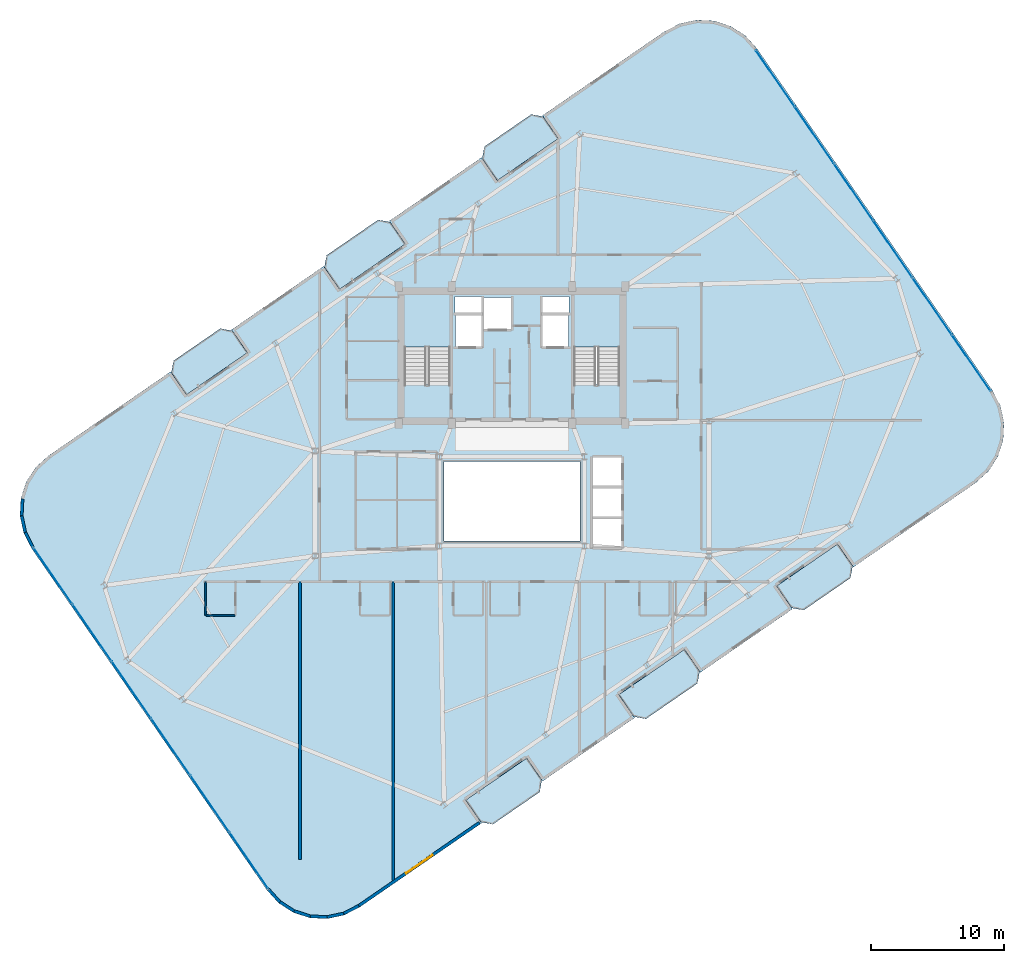
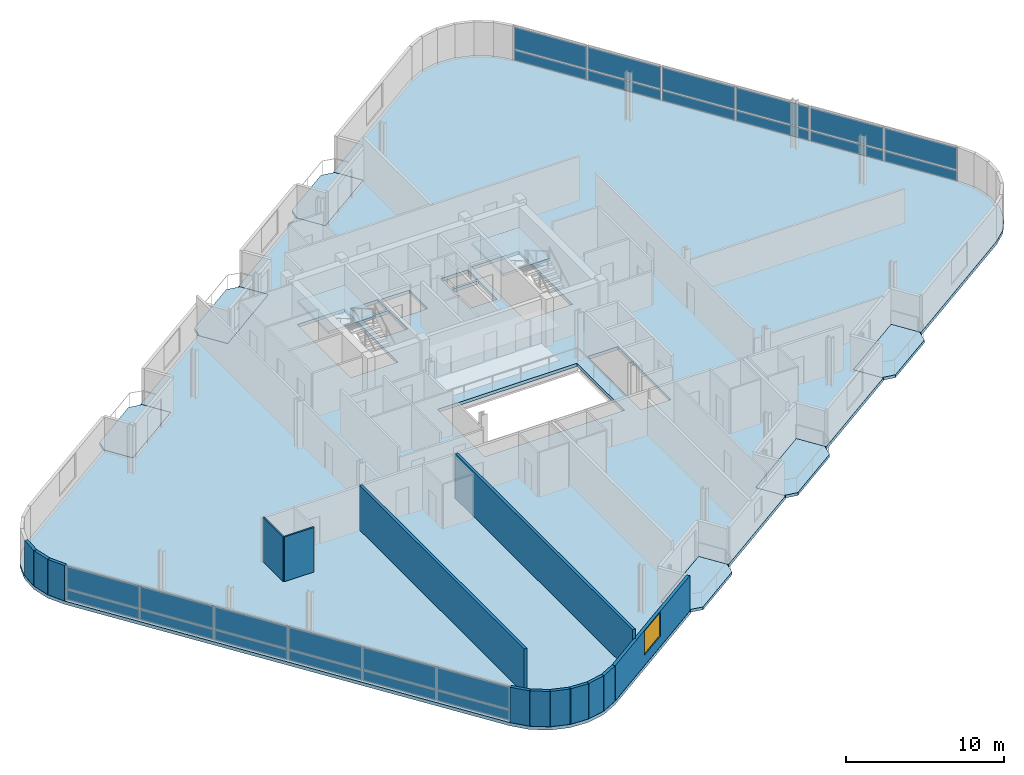
# One storey, part 14 of 22: 24 plates, 14 walls, 9 slabs, 1 window, 1 opening, 4 elements without a shape of their own.
"""IFC4 building model written with IfcOpenShell, lengths in metres."""

from ifc_helpers import new_model, si_unit, direction, frame, frame_2d, origin, origin_2d, place, context, subcontext, project, spatial, polyline, rectangle, outline, extrude, source, transform, mapped, material, layer, layer_set, type_object, element, fill, aggregate, save


model = new_model("IFC4")

# Units and contexts
model_context = context("Model", 3, precision=1e-05, world=origin(), true_north=direction((0.0, 1.0)))
body_context = subcontext(model_context, "Body", "Model", "MODEL_VIEW")
ifc_project = project(units=[si_unit("LENGTHUNIT", "METRE"), si_unit("AREAUNIT", "SQUARE_METRE"), si_unit("VOLUMEUNIT", "CUBIC_METRE"), si_unit("PLANEANGLEUNIT", "RADIAN"), si_unit("MASSUNIT", "GRAM", prefix="KILO")], contexts=[model_context])

# Site, building, storey
site_placement = place(None, origin())
site = spatial("IfcSite", under=ifc_project, at=site_placement, CompositionType="ELEMENT")
building_placement = place(site_placement, origin())
building = spatial("IfcBuilding", under=site, at=building_placement, Name="Varnelok Gate Tower", CompositionType="ELEMENT")
storey_placement = place(building_placement, frame((0.0, 0.0, 284.10009765625)))
storey = spatial("IfcBuildingStorey", under=building, at=storey_placement, Name="L73", CompositionType="ELEMENT", Elevation=284.10009765625)

# Slabs
ifc_material_1 = material(Name="Concrete C45/55", Category="concrete")
ifc_layer_1 = layer(ifc_material_1, 0.219970703125)
ifc_layer_set_1 = layer_set([ifc_layer_1], Name="Concrete C45/55")
slab_type_1 = type_object("IfcSlabType", Name="SLB-BALC-220", PredefinedType="FLOOR", material=ifc_layer_set_1)
slab_1_placement = place(storey_placement, frame((0.0, 0.0, -0.22021484375)))
element("IfcSlab", 1, at=slab_1_placement, inside=storey, type_object=slab_type_1, Name="L73 South Hollow Balcony 1", PredefinedType="FLOOR", context=body_context, shape_type="SweptSolid", body=[
    extrude(outline(polyline([(36.856201171875, -1.207275390625), (37.76025390625, -1.373779296875), (41.274169921875, 1.046630859375), (41.440673828125, 1.95068359375), (40.30615234375, 3.597900390625), (35.7216796875, 0.439697265625), (36.856201171875, -1.207275390625)])), origin(), (0.0, 0.0, 1.0), 0.22021484375),
])
slab_2_placement = place(storey_placement, frame((0.0, 0.0, -0.22021484375)))
element("IfcSlab", 2, at=slab_2_placement, inside=storey, type_object=slab_type_1, Name="L73 South Hollow Balcony 2", PredefinedType="FLOOR", context=body_context, shape_type="SweptSolid", body=[
    extrude(outline(polyline([(48.3583984375, 6.7158203125), (49.262451171875, 6.54931640625), (53.133056640625, 9.21533203125), (53.299560546875, 10.119384765625), (52.1650390625, 11.7666015625), (47.223876953125, 8.36279296875), (48.3583984375, 6.7158203125)])), origin(), (0.0, 0.0, 1.0), 0.22021484375),
])
slab_3_placement = place(storey_placement, frame((0.0, 0.0, -0.22021484375)))
element("IfcSlab", 3, at=slab_3_placement, inside=storey, type_object=slab_type_1, Name="L73 South Hollow Balcony 3", PredefinedType="FLOOR", context=body_context, shape_type="SweptSolid", body=[
    extrude(outline(polyline([(60.21728515625, 14.884521484375), (61.121337890625, 14.718017578125), (64.63525390625, 17.138427734375), (64.802001953125, 18.04248046875), (63.66748046875, 19.689453125), (59.082763671875, 16.531494140625), (60.21728515625, 14.884521484375)])), origin(), (0.0, 0.0, 1.0), 0.22021484375),
])
slab_4_placement = place(storey_placement, frame((0.0, 0.0, -0.22021484375)))
element("IfcSlab", 4, at=slab_4_placement, inside=storey, type_object=slab_type_1, Name="L73 North Hollow Balcony 1", PredefinedType="FLOOR", context=body_context, shape_type="SweptSolid", body=[
    extrude(outline(polyline([(14.732666015625, 30.910400390625), (19.3173828125, 34.068603515625), (18.1826171875, 35.715576171875), (17.27880859375, 35.882080078125), (13.7646484375, 33.461669921875), (13.59814453125, 32.5576171875), (14.732666015625, 30.910400390625)])), origin(), (0.0, 0.0, 1.0), 0.22021484375),
])
slab_5_placement = place(storey_placement, frame((0.0, 0.0, -0.22021484375)))
element("IfcSlab", 5, at=slab_5_placement, inside=storey, type_object=slab_type_1, Name="L73 North Hollow Balcony 2", PredefinedType="FLOOR", context=body_context, shape_type="SweptSolid", body=[
    extrude(outline(polyline([(26.23486328125, 38.83349609375), (31.176025390625, 42.2373046875), (30.04150390625, 43.88427734375), (29.1376953125, 44.05078125), (25.26708984375, 41.384521484375), (25.100341796875, 40.480712890625), (26.23486328125, 38.83349609375)])), origin(), (0.0, 0.0, 1.0), 0.22021484375),
])
slab_6_placement = place(storey_placement, frame((0.0, 0.0, -0.22021484375)))
element("IfcSlab", 6, at=slab_6_placement, inside=storey, type_object=slab_type_1, Name="L73 North Hollow Balcony 3", PredefinedType="FLOOR", context=body_context, shape_type="SweptSolid", body=[
    extrude(outline(polyline([(38.09375, 47.002197265625), (42.678466796875, 50.16015625), (41.5439453125, 51.807373046875), (40.639892578125, 51.973876953125), (37.125732421875, 49.55322265625), (36.959228515625, 48.6494140625), (38.09375, 47.002197265625)])), origin(), (0.0, 0.0, 1.0), 0.22021484375),
])

# Stair, slab
ifc_material_2 = material(Name="Concrete C50/60", Category="concrete")
stair_type = type_object("IfcStairType", Name="STR-CORE-1650", PredefinedType="HALF_TURN_STAIR", material=ifc_material_2)
stair_1_placement = place(storey_placement, origin())
stair_1 = element("IfcStair", 7, at=stair_1_placement, inside=storey, type_object=stair_type, Name="L73 Exit Stair ST-1", PredefinedType="HALF_TURN_STAIR")
ifc_layer_2 = layer(ifc_material_1, 0.199951171875)
ifc_layer_set_2 = layer_set([ifc_layer_2], Name="Concrete C45/55")
slab_type_2 = type_object("IfcSlabType", Name="SLB-LAND-200", PredefinedType="LANDING", material=ifc_layer_set_2)
slab_7_placement = place(storey_placement, frame((0.0, 0.0, 1.64990234375)))
slab_7 = element("IfcSlab", 8, at=slab_7_placement, type_object=slab_type_2, Name="ST-1 landing 1", PredefinedType="LANDING", context=body_context, shape_type="SweptSolid", body=[
    extrude(outline(polyline([(34.550048828125, 34.5), (34.550048828125, 38.449951171875), (31.10009765625, 38.449951171875), (31.10009765625, 34.5), (34.550048828125, 34.5)])), origin(), (0.0, 0.0, 1.0), 0.199951171875),
])
aggregate(stair_1, [slab_7])

stair_2_placement = place(storey_placement, origin())
stair_2 = element("IfcStair", 9, at=stair_2_placement, inside=storey, type_object=stair_type, Name="L73 Exit Stair ST-2", PredefinedType="HALF_TURN_STAIR")
slab_8_placement = place(storey_placement, frame((0.0, 0.0, 1.64990234375)))
slab_8 = element("IfcSlab", 10, at=slab_8_placement, type_object=slab_type_2, Name="ST-2 landing 1", PredefinedType="LANDING", context=body_context, shape_type="SweptSolid", body=[
    extrude(outline(polyline([(47.300048828125, 34.5), (47.300048828125, 38.449951171875), (43.85009765625, 38.449951171875), (43.85009765625, 34.5), (47.300048828125, 34.5)])), origin(), (0.0, 0.0, 1.0), 0.199951171875),
])
aggregate(stair_2, [slab_8])

# Slab
ifc_layer_3 = layer(ifc_material_2, 0.25)
ifc_layer_set_3 = layer_set([ifc_layer_3], Name="Concrete C50/60")
slab_type_3 = type_object("IfcSlabType", Name="SLB-TYP-250", PredefinedType="FLOOR", material=ifc_layer_set_3)
slab_9_placement = place(storey_placement, frame((0.0, 0.0, -0.25)))
element("IfcSlab", 11, at=slab_9_placement, inside=storey, type_object=slab_type_3, Name="L73 Structural Floor Slab", PredefinedType="FLOOR", context=body_context, shape_type="SweptSolid", body=[
    extrude(outline(polyline([(20.79052734375, -6.32373046875), (21.664794921875, -7.292724609375), (22.76025390625, -8.00244140625), (24.002197265625, -8.404541015625), (25.3056640625, -8.471435546875), (26.58203125, -8.19873046875), (27.744384765625, -7.60498046875), (36.25439453125, -1.7431640625), (36.912841796875, -1.28955078125), (35.7216796875, 0.439697265625), (40.30615234375, 3.597900390625), (41.49755859375, 1.868408203125), (48.4150390625, 6.63330078125), (47.223876953125, 8.36279296875), (52.1650390625, 11.7666015625), (53.356201171875, 10.037109375), (60.27392578125, 14.802001953125), (59.082763671875, 16.531494140625), (63.66748046875, 19.689453125), (64.858642578125, 17.960205078125), (65.51708984375, 18.413818359375), (74.027099609375, 24.275390625), (74.99609375, 25.14990234375), (75.705810546875, 26.245361328125), (76.10791015625, 27.487060546875), (76.1748046875, 28.79052734375), (75.902099609375, 30.067138671875), (75.308349609375, 31.2294921875), (57.609619140625, 56.923583984375), (56.735107421875, 57.892822265625), (55.6396484375, 58.6025390625), (54.39794921875, 59.00439453125), (53.094482421875, 59.071533203125), (51.81787109375, 58.798828125), (50.655517578125, 58.205078125), (42.145751953125, 52.34326171875), (41.487060546875, 51.8896484375), (42.678466796875, 50.16015625), (38.09375, 47.002197265625), (36.902587890625, 48.731689453125), (29.98486328125, 43.966552734375), (31.176025390625, 42.2373046875), (26.23486328125, 38.83349609375), (25.043701171875, 40.56298828125), (18.1259765625, 35.7978515625), (19.3173828125, 34.068603515625), (14.732666015625, 30.910400390625), (13.54150390625, 32.639892578125), (12.8828125, 32.186279296875), (4.373046875, 26.324462890625), (3.40380859375, 25.4501953125), (2.694091796875, 24.354736328125), (2.292236328125, 23.11279296875), (2.22509765625, 21.809326171875), (2.497802734375, 20.532958984375), (3.091796875, 19.37060546875), (20.79052734375, -6.32373046875)]), holes=[polyline([(34.550048828125, 31.679931640625), (34.550048828125, 38.449951171875), (31.10009765625, 38.449951171875), (31.10009765625, 31.679931640625), (34.550048828125, 31.679931640625)]), polyline([(47.300048828125, 31.679931640625), (47.300048828125, 38.449951171875), (43.85009765625, 38.449951171875), (43.85009765625, 31.679931640625), (47.300048828125, 31.679931640625)]), polyline([(34.949951171875, 34.550048828125), (36.89990234375, 34.550048828125), (36.89990234375, 36.89990234375), (34.949951171875, 36.89990234375), (34.949951171875, 34.550048828125)]), polyline([(41.5, 34.550048828125), (43.449951171875, 34.550048828125), (43.449951171875, 36.89990234375), (41.5, 36.89990234375), (41.5, 34.550048828125)]), polyline([(37.050048828125, 35.85009765625), (39.14990234375, 35.85009765625), (39.14990234375, 38.199951171875), (37.050048828125, 38.199951171875), (37.050048828125, 35.85009765625)]), polyline([(45.25, 19.449951171875), (47.449951171875, 19.449951171875), (47.449951171875, 26.199951171875), (45.25, 26.199951171875), (45.25, 19.449951171875)]), polyline([(34.919921875, 37.080078125), (36.89990234375, 37.080078125), (36.89990234375, 38.280029296875), (34.919921875, 38.280029296875), (34.919921875, 37.080078125)]), polyline([(41.5, 37.080078125), (43.47998046875, 37.080078125), (43.47998046875, 38.280029296875), (41.5, 38.280029296875), (41.5, 37.080078125)]), polyline([(34.10009765625, 19.89990234375), (44.300048828125, 19.89990234375), (44.300048828125, 25.89990234375), (34.10009765625, 25.89990234375), (34.10009765625, 19.89990234375)])]), origin(), (0.0, 0.0, 1.0), 0.25),
])

# Curtain wall, plates
ifc_material_3 = material(Name="Anodized Aluminum Alloy 6063-T6", Category="aluminium")
ifc_layer_4 = layer(ifc_material_3, 0.179931640625)
ifc_layer_set_4 = layer_set([ifc_layer_4], Name="Anodized Aluminum Alloy 6063-T6")
curtain_wall_type = type_object("IfcCurtainWallType", Name="CW6-CROWN-LOOKOUT", PredefinedType="USERDEFINED", material=ifc_layer_set_4)
curtain_wall_1_placement = place(storey_placement, origin())
curtain_wall_1 = element("IfcCurtainWall", 12, at=curtain_wall_1_placement, inside=storey, type_object=curtain_wall_type, Name="L73 West End Vision Curtain Wall", ObjectType="STRUCTURAL GLAZING", PredefinedType="USERDEFINED")
ifc_material_4 = material(Name="Low-E Laminated Double Glazing IGU", Category="glass")
ifc_layer_5 = layer(ifc_material_4, 0.035888671875)
ifc_layer_set_5 = layer_set([ifc_layer_5], Name="Low-E Laminated Double Glazing IGU")
plate_type = type_object("IfcPlateType", Name="CW-PNL-IGU36", PredefinedType="CURTAIN_PANEL", material=ifc_layer_set_5)
shared_shape_1 = source(origin(), body_context, "Body", "SweptSolid", [
    extrude(rectangle(XDim=5.08740234375, YDim=0.035888671875, at=origin_2d()), origin(), (0.0, 0.0, 1.0), 0.78759765625),
])
plate_1_placement = place(storey_placement, frame((19.420166015625, -4.087646484375, 0.074951171875), z_axis=(0.0, 0.0, 1.0), x_axis=(-0.567269395376, 0.823532290241, 0.0)))
plate_1 = element("IfcPlate", 13, at=plate_1_placement, type_object=plate_type, Name="CW6 panel 1.1", PredefinedType="CURTAIN_PANEL", context=body_context, shape_type="MappedRepresentation", body=[
    mapped(shared_shape_1, transform((0.0, 0.0, 0.0), scale=1.0)),
])
plate_2_placement = place(storey_placement, frame((4.692626953125, 17.293212890625, 0.074951171875), z_axis=(0.0, 0.0, 1.0), x_axis=(-0.567269395376, 0.823532290241, 0.0)))
plate_2 = element("IfcPlate", 14, at=plate_2_placement, type_object=plate_type, Name="CW6 panel 6.1", PredefinedType="CURTAIN_PANEL", context=body_context, shape_type="MappedRepresentation", body=[
    mapped(shared_shape_1, transform((0.0, 0.0, 0.0), scale=1.0)),
])

curtain_wall_2_placement = place(storey_placement, origin())
curtain_wall_2 = element("IfcCurtainWall", 15, at=curtain_wall_2_placement, inside=storey, type_object=curtain_wall_type, Name="L73 East End Vision Curtain Wall", ObjectType="STRUCTURAL GLAZING", PredefinedType="USERDEFINED")
plate_3_placement = place(storey_placement, frame((58.979736328125, 54.687744140625, 0.074951171875), z_axis=(0.0, 0.0, 1.0), x_axis=(0.567269395376, -0.823532290241, 0.0)))
plate_3 = element("IfcPlate", 16, at=plate_3_placement, type_object=plate_type, Name="CW6 panel 1.1", PredefinedType="CURTAIN_PANEL", context=body_context, shape_type="MappedRepresentation", body=[
    mapped(shared_shape_1, transform((0.0, 0.0, 0.0), scale=1.0)),
])
plate_4_placement = place(storey_placement, frame((73.70751953125, 33.306640625, 0.074951171875), z_axis=(0.0, 0.0, 1.0), x_axis=(0.567269395376, -0.823532290241, 0.0)))
plate_4 = element("IfcPlate", 17, at=plate_4_placement, type_object=plate_type, Name="CW6 panel 6.1", PredefinedType="CURTAIN_PANEL", context=body_context, shape_type="MappedRepresentation", body=[
    mapped(shared_shape_1, transform((0.0, 0.0, 0.0), scale=1.0)),
])

# Plate
shared_shape_2 = source(origin(), body_context, "Body", "SweptSolid", [
    extrude(rectangle(XDim=5.08740234375, YDim=0.035888671875, at=origin_2d()), origin(), (0.0, 0.0, 1.0), 1.717529296875),
])
plate_5_placement = place(storey_placement, frame((19.420166015625, -4.087646484375, 0.9375), z_axis=(0.0, 0.0, 1.0), x_axis=(-0.567269395376, 0.823532290241, 0.0)))
plate_5 = element("IfcPlate", 18, at=plate_5_placement, type_object=plate_type, Name="CW6 panel 1.2", PredefinedType="CURTAIN_PANEL", context=body_context, shape_type="MappedRepresentation", body=[
    mapped(shared_shape_2, transform((0.0, 0.0, 0.0), scale=1.0)),
])

plate_6_placement = place(storey_placement, frame((4.692626953125, 17.293212890625, 0.9375), z_axis=(0.0, 0.0, 1.0), x_axis=(-0.567269395376, 0.823532290241, 0.0)))
plate_6 = element("IfcPlate", 19, at=plate_6_placement, type_object=plate_type, Name="CW6 panel 6.2", PredefinedType="CURTAIN_PANEL", context=body_context, shape_type="MappedRepresentation", body=[
    mapped(shared_shape_2, transform((0.0, 0.0, 0.0), scale=1.0)),
])

plate_7_placement = place(storey_placement, frame((58.979736328125, 54.687744140625, 0.9375), z_axis=(0.0, 0.0, 1.0), x_axis=(0.567269395376, -0.823532290241, 0.0)))
plate_7 = element("IfcPlate", 20, at=plate_7_placement, type_object=plate_type, Name="CW6 panel 1.2", PredefinedType="CURTAIN_PANEL", context=body_context, shape_type="MappedRepresentation", body=[
    mapped(shared_shape_2, transform((0.0, 0.0, 0.0), scale=1.0)),
])

plate_8_placement = place(storey_placement, frame((73.70751953125, 33.306640625, 0.9375), z_axis=(0.0, 0.0, 1.0), x_axis=(0.567269395376, -0.823532290241, 0.0)))
plate_8 = element("IfcPlate", 21, at=plate_8_placement, type_object=plate_type, Name="CW6 panel 6.2", PredefinedType="CURTAIN_PANEL", context=body_context, shape_type="MappedRepresentation", body=[
    mapped(shared_shape_2, transform((0.0, 0.0, 0.0), scale=1.0)),
])

shared_shape_3 = source(origin(), body_context, "Body", "SweptSolid", [
    extrude(rectangle(XDim=5.125, YDim=0.035888671875, at=origin_2d()), origin(), (0.0, 0.0, 1.0), 0.78759765625),
])
plate_9_placement = place(storey_placement, frame((16.481201171875, 0.17919921875, 0.074951171875), z_axis=(0.0, 0.0, 1.0), x_axis=(-0.567269395376, 0.823532290241, 0.0)))
plate_9 = element("IfcPlate", 22, at=plate_9_placement, type_object=plate_type, Name="CW6 panel 2.1", PredefinedType="CURTAIN_PANEL", context=body_context, shape_type="MappedRepresentation", body=[
    mapped(shared_shape_3, transform((0.0, 0.0, 0.0), scale=1.0)),
])

plate_10_placement = place(storey_placement, frame((13.53125, 4.461669921875, 0.074951171875), z_axis=(0.0, 0.0, 1.0), x_axis=(-0.567269395376, 0.823532290241, 0.0)))
plate_10 = element("IfcPlate", 23, at=plate_10_placement, type_object=plate_type, Name="CW6 panel 3.1", PredefinedType="CURTAIN_PANEL", context=body_context, shape_type="MappedRepresentation", body=[
    mapped(shared_shape_3, transform((0.0, 0.0, 0.0), scale=1.0)),
])

plate_11_placement = place(storey_placement, frame((10.58154296875, 8.743896484375, 0.074951171875), z_axis=(0.0, 0.0, 1.0), x_axis=(-0.567269395376, 0.823532290241, 0.0)))
plate_11 = element("IfcPlate", 24, at=plate_11_placement, type_object=plate_type, Name="CW6 panel 4.1", PredefinedType="CURTAIN_PANEL", context=body_context, shape_type="MappedRepresentation", body=[
    mapped(shared_shape_3, transform((0.0, 0.0, 0.0), scale=1.0)),
])

plate_12_placement = place(storey_placement, frame((7.631591796875, 13.0263671875, 0.074951171875), z_axis=(0.0, 0.0, 1.0), x_axis=(-0.567269395376, 0.823532290241, 0.0)))
plate_12 = element("IfcPlate", 25, at=plate_12_placement, type_object=plate_type, Name="CW6 panel 5.1", PredefinedType="CURTAIN_PANEL", context=body_context, shape_type="MappedRepresentation", body=[
    mapped(shared_shape_3, transform((0.0, 0.0, 0.0), scale=1.0)),
])

plate_13_placement = place(storey_placement, frame((61.9189453125, 50.420654296875, 0.074951171875), z_axis=(0.0, 0.0, 1.0), x_axis=(0.567269395376, -0.823532290241, 0.0)))
plate_13 = element("IfcPlate", 26, at=plate_13_placement, type_object=plate_type, Name="CW6 panel 2.1", PredefinedType="CURTAIN_PANEL", context=body_context, shape_type="MappedRepresentation", body=[
    mapped(shared_shape_3, transform((0.0, 0.0, 0.0), scale=1.0)),
])

plate_14_placement = place(storey_placement, frame((64.86865234375, 46.138427734375, 0.074951171875), z_axis=(0.0, 0.0, 1.0), x_axis=(0.567269395376, -0.823532290241, 0.0)))
plate_14 = element("IfcPlate", 27, at=plate_14_placement, type_object=plate_type, Name="CW6 panel 3.1", PredefinedType="CURTAIN_PANEL", context=body_context, shape_type="MappedRepresentation", body=[
    mapped(shared_shape_3, transform((0.0, 0.0, 0.0), scale=1.0)),
])

plate_15_placement = place(storey_placement, frame((67.818603515625, 41.85595703125, 0.074951171875), z_axis=(0.0, 0.0, 1.0), x_axis=(0.567269395376, -0.823532290241, 0.0)))
plate_15 = element("IfcPlate", 28, at=plate_15_placement, type_object=plate_type, Name="CW6 panel 4.1", PredefinedType="CURTAIN_PANEL", context=body_context, shape_type="MappedRepresentation", body=[
    mapped(shared_shape_3, transform((0.0, 0.0, 0.0), scale=1.0)),
])

plate_16_placement = place(storey_placement, frame((70.768310546875, 37.57373046875, 0.074951171875), z_axis=(0.0, 0.0, 1.0), x_axis=(0.567269395376, -0.823532290241, 0.0)))
plate_16 = element("IfcPlate", 29, at=plate_16_placement, type_object=plate_type, Name="CW6 panel 5.1", PredefinedType="CURTAIN_PANEL", context=body_context, shape_type="MappedRepresentation", body=[
    mapped(shared_shape_3, transform((0.0, 0.0, 0.0), scale=1.0)),
])

shared_shape_4 = source(origin(), body_context, "Body", "SweptSolid", [
    extrude(rectangle(XDim=5.125, YDim=0.035888671875, at=origin_2d()), origin(), (0.0, 0.0, 1.0), 1.717529296875),
])
plate_17_placement = place(storey_placement, frame((16.481201171875, 0.17919921875, 0.9375), z_axis=(0.0, 0.0, 1.0), x_axis=(-0.567269395376, 0.823532290241, 0.0)))
plate_17 = element("IfcPlate", 30, at=plate_17_placement, type_object=plate_type, Name="CW6 panel 2.2", PredefinedType="CURTAIN_PANEL", context=body_context, shape_type="MappedRepresentation", body=[
    mapped(shared_shape_4, transform((0.0, 0.0, 0.0), scale=1.0)),
])

plate_18_placement = place(storey_placement, frame((13.53125, 4.461669921875, 0.9375), z_axis=(0.0, 0.0, 1.0), x_axis=(-0.567269395376, 0.823532290241, 0.0)))
plate_18 = element("IfcPlate", 31, at=plate_18_placement, type_object=plate_type, Name="CW6 panel 3.2", PredefinedType="CURTAIN_PANEL", context=body_context, shape_type="MappedRepresentation", body=[
    mapped(shared_shape_4, transform((0.0, 0.0, 0.0), scale=1.0)),
])

plate_19_placement = place(storey_placement, frame((10.58154296875, 8.743896484375, 0.9375), z_axis=(0.0, 0.0, 1.0), x_axis=(-0.567269395376, 0.823532290241, 0.0)))
plate_19 = element("IfcPlate", 32, at=plate_19_placement, type_object=plate_type, Name="CW6 panel 4.2", PredefinedType="CURTAIN_PANEL", context=body_context, shape_type="MappedRepresentation", body=[
    mapped(shared_shape_4, transform((0.0, 0.0, 0.0), scale=1.0)),
])

plate_20_placement = place(storey_placement, frame((7.631591796875, 13.0263671875, 0.9375), z_axis=(0.0, 0.0, 1.0), x_axis=(-0.567269395376, 0.823532290241, 0.0)))
plate_20 = element("IfcPlate", 33, at=plate_20_placement, type_object=plate_type, Name="CW6 panel 5.2", PredefinedType="CURTAIN_PANEL", context=body_context, shape_type="MappedRepresentation", body=[
    mapped(shared_shape_4, transform((0.0, 0.0, 0.0), scale=1.0)),
])

aggregate(curtain_wall_1, [plate_1, plate_5, plate_9, plate_17, plate_10, plate_18, plate_11, plate_19, plate_12, plate_20, plate_2, plate_6])

plate_21_placement = place(storey_placement, frame((61.9189453125, 50.420654296875, 0.9375), z_axis=(0.0, 0.0, 1.0), x_axis=(0.567269395376, -0.823532290241, 0.0)))
plate_21 = element("IfcPlate", 34, at=plate_21_placement, type_object=plate_type, Name="CW6 panel 2.2", PredefinedType="CURTAIN_PANEL", context=body_context, shape_type="MappedRepresentation", body=[
    mapped(shared_shape_4, transform((0.0, 0.0, 0.0), scale=1.0)),
])

plate_22_placement = place(storey_placement, frame((64.86865234375, 46.138427734375, 0.9375), z_axis=(0.0, 0.0, 1.0), x_axis=(0.567269395376, -0.823532290241, 0.0)))
plate_22 = element("IfcPlate", 35, at=plate_22_placement, type_object=plate_type, Name="CW6 panel 3.2", PredefinedType="CURTAIN_PANEL", context=body_context, shape_type="MappedRepresentation", body=[
    mapped(shared_shape_4, transform((0.0, 0.0, 0.0), scale=1.0)),
])

plate_23_placement = place(storey_placement, frame((67.818603515625, 41.85595703125, 0.9375), z_axis=(0.0, 0.0, 1.0), x_axis=(0.567269395376, -0.823532290241, 0.0)))
plate_23 = element("IfcPlate", 36, at=plate_23_placement, type_object=plate_type, Name="CW6 panel 4.2", PredefinedType="CURTAIN_PANEL", context=body_context, shape_type="MappedRepresentation", body=[
    mapped(shared_shape_4, transform((0.0, 0.0, 0.0), scale=1.0)),
])

plate_24_placement = place(storey_placement, frame((70.768310546875, 37.57373046875, 0.9375), z_axis=(0.0, 0.0, 1.0), x_axis=(0.567269395376, -0.823532290241, 0.0)))
plate_24 = element("IfcPlate", 37, at=plate_24_placement, type_object=plate_type, Name="CW6 panel 5.2", PredefinedType="CURTAIN_PANEL", context=body_context, shape_type="MappedRepresentation", body=[
    mapped(shared_shape_4, transform((0.0, 0.0, 0.0), scale=1.0)),
])

aggregate(curtain_wall_2, [plate_3, plate_7, plate_13, plate_21, plate_14, plate_22, plate_15, plate_23, plate_16, plate_24, plate_4, plate_8])

# Walls
ifc_layer_6 = layer(ifc_material_1, 0.219970703125)
ifc_layer_set_6 = layer_set([ifc_layer_6], Name="Concrete C45/55")
wall_type_1 = type_object("IfcWallType", Name="EW-BALC-220", PredefinedType="SOLIDWALL", material=ifc_layer_set_6)
wall_1_placement = place(storey_placement, frame((20.89013671875, -6.255126953125, 0.0), z_axis=(0.0, 0.0, 1.0), x_axis=(0.669949059844, -0.74240706975, 0.0)))
element("IfcWall", 38, at=wall_1_placement, inside=storey, type_object=wall_type_1, Name="L73 Perimeter Facade Closure Wall 1", PredefinedType="SOLIDWALL", context=body_context, shape_type="SweptSolid", body=[
    extrude(rectangle(XDim=1.273681640625, YDim=0.219970703125, at=frame_2d((0.63671875, 0.0))), origin(), (0.0, 0.0, 1.0), 2.72998046875),
])
for number, where, z_axis, x_axis, name in (
    (39, (21.764404296875, -7.21435546875, 0.0), (0.0, 0.0, 1.0), (0.839229000731, -0.543778157277, 0.0), "L73 Perimeter Facade Closure Wall 2"),
    (40, (22.836181640625, -7.90087890625, 0.0), (0.0, 0.0, 1.0), (0.951385542995, -0.308002513919, 0.0), "L73 Perimeter Facade Closure Wall 3"),
    (41, (24.049072265625, -8.286865234375, 0.0), (0.0, 0.0, 1.0), (0.998686637427, -0.051234756022, 0.0), "L73 Perimeter Facade Closure Wall 4"),
):
    element("IfcWall", number, at=place(storey_placement, frame(where, z_axis=z_axis, x_axis=x_axis)), inside=storey, type_object=wall_type_1, Name=name, PredefinedType="SOLIDWALL", context=body_context, shape_type="SweptSolid", body=[
        extrude(rectangle(XDim=1.24853515625, YDim=0.219970703125, at=frame_2d((0.624267578125, 0.0))), origin(), (0.0, 0.0, 1.0), 2.72998046875),
    ])
wall_2_placement = place(storey_placement, frame((25.3203125, -8.345703125, 0.0), z_axis=(0.0, 0.0, 1.0), x_axis=(0.977916710262, 0.208994994656, 0.0)))
element("IfcWall", 42, at=wall_2_placement, inside=storey, type_object=wall_type_1, Name="L73 Perimeter Facade Closure Wall 5", PredefinedType="SOLIDWALL", context=body_context, shape_type="SweptSolid", body=[
    extrude(rectangle(XDim=1.248779296875, YDim=0.219970703125, at=frame_2d((0.62451171875, 0.0))), origin(), (0.0, 0.0, 1.0), 2.72998046875),
])
wall_3_placement = place(storey_placement, frame((26.563720703125, -8.073486328125, 0.0), z_axis=(0.0, 0.0, 1.0), x_axis=(0.890508147271, 0.454967295137, 0.0)))
element("IfcWall", 43, at=wall_3_placement, inside=storey, type_object=wall_type_1, Name="L73 Perimeter Facade Closure Wall 6", PredefinedType="SOLIDWALL", context=body_context, shape_type="SweptSolid", body=[
    extrude(rectangle(XDim=1.2568359375, YDim=0.219970703125, at=frame_2d((0.62841796875, 0.0))), origin(), (0.0, 0.0, 1.0), 2.72998046875),
])

# Wall, opening, window
wall_4_placement = place(storey_placement, frame((27.70361328125, -7.487548828125, 0.0), z_axis=(0.0, 0.0, 1.0), x_axis=(0.823529068157, 0.567274073003, 0.0)))
wall_4 = element("IfcWall", 44, at=wall_4_placement, inside=storey, type_object=wall_type_1, Name="L73 Perimeter Facade Closure Wall 7", PredefinedType="SOLIDWALL", context=body_context, shape_type="SweptSolid", body=[
    extrude(rectangle(XDim=10.980224609375, YDim=0.219970703125, at=frame_2d((5.490234375, 0.0))), origin(), (0.0, 0.0, 1.0), 2.72998046875),
])
opening_placement = place(wall_4_placement, frame((4.2900390625, 0.0, 0.800048828125)))
opening = element("IfcOpeningElement", 45, at=opening_placement, cuts=wall_4, Name="Opening WN6", PredefinedType="OPENING", context=body_context, shape_type="SweptSolid", body=[
    extrude(rectangle(XDim=2.39990234375, YDim=1.85009765625, at=frame_2d((1.199951171875, 0.925048828125))), frame((0.0, 0.119873046875, 0.0), z_axis=(0.0, -1.0, 0.0), x_axis=(1.0, 0.0, 0.0)), (0.0, 0.0, 1.0), 0.239990234375),
])
window_type = type_object("IfcWindowType", Name="WN-PEN-2400", PartitioningType="SINGLE_PANEL", PredefinedType="WINDOW", material=ifc_material_4)
window_placement = place(opening_placement, origin())
window = element("IfcWindow", 46, at=window_placement, inside=storey, type_object=window_type, Name="L73 Perimeter Vision Window 7", OverallHeight=1.85009765625, OverallWidth=2.39990234375, PartitioningType="SINGLE_PANEL", PredefinedType="WINDOW", context=body_context, shape_type="SweptSolid", body=[
    extrude(rectangle(XDim=2.39990234375, YDim=1.85009765625, at=frame_2d((1.199951171875, 0.925048828125))), frame((0.0, 0.030029296875, 0.0), z_axis=(0.0, -1.0, 0.0), x_axis=(1.0, 0.0, 0.0)), (0.0, 0.0, 1.0), 0.06005859375),
])
fill(opening, window)

# Walls
wall_5_placement = place(storey_placement, frame((2.409912109375, 23.06591796875, 0.0), z_axis=(0.0, 0.0, 1.0), x_axis=(-0.051234756022, -0.998686637427, 0.0)))
element("IfcWall", 47, at=wall_5_placement, inside=storey, type_object=wall_type_1, Name="L73 Perimeter Facade Closure Wall 42", PredefinedType="SOLIDWALL", context=body_context, shape_type="SweptSolid", body=[
    extrude(rectangle(XDim=1.24853515625, YDim=0.219970703125, at=frame_2d((0.624267578125, 0.0))), origin(), (0.0, 0.0, 1.0), 2.72998046875),
])
for number, where, z_axis, x_axis, name in (
    (48, (2.35107421875, 21.794677734375, 0.0), (0.0, 0.0, 1.0), (0.208994994656, -0.977916710262, 0.0), "L73 Perimeter Facade Closure Wall 43"),
    (49, (2.623291015625, 20.55126953125, 0.0), (0.0, 0.0, 1.0), (0.454938817534, -0.890522696118, 0.0), "L73 Perimeter Facade Closure Wall 44"),
):
    element("IfcWall", number, at=place(storey_placement, frame(where, z_axis=z_axis, x_axis=x_axis)), inside=storey, type_object=wall_type_1, Name=name, PredefinedType="SOLIDWALL", context=body_context, shape_type="SweptSolid", body=[
        extrude(rectangle(XDim=1.248779296875, YDim=0.219970703125, at=frame_2d((0.62451171875, 0.0))), origin(), (0.0, 0.0, 1.0), 2.72998046875),
    ])
ifc_material_5 = material(Name="Gypsum Plasterboard Acoustic Partition", Category="gypsum")
ifc_layer_7 = layer(ifc_material_5, 0.114990234375)
ifc_layer_set_7 = layer_set([ifc_layer_7], Name="Gypsum Plasterboard Acoustic Partition")
wall_type_2 = type_object("IfcWallType", Name="PW-ENS-125", PredefinedType="PARTITIONING", material=ifc_layer_set_7)
wall_6_placement = place(storey_placement, frame((16.219970703125, 14.330078125, 0.0), z_axis=(0.0, 0.0, 1.0), x_axis=(1.0, 0.0, 0.0)))
element("IfcWall", 50, at=wall_6_placement, inside=storey, type_object=wall_type_2, Name="Interior Partition", PredefinedType="PARTITIONING", context=body_context, shape_type="SweptSolid", body=[
    extrude(rectangle(XDim=2.150146484375, YDim=0.114990234375, at=frame_2d((1.0751953125, 0.0))), origin(), (0.0, 0.0, 1.0), 3.449951171875),
])
wall_7_placement = place(storey_placement, frame((16.179931640625, 14.330078125, 0.0), z_axis=(0.0, 0.0, 1.0), x_axis=(0.0, 1.0, 0.0)))
element("IfcWall", 51, at=wall_7_placement, inside=storey, type_object=wall_type_2, Name="Interior Partition", PredefinedType="PARTITIONING", context=body_context, shape_type="SweptSolid", body=[
    extrude(rectangle(XDim=2.52001953125, YDim=0.114990234375, at=frame_2d((1.260009765625, 0.0))), origin(), (0.0, 0.0, 1.0), 3.449951171875),
])
ifc_layer_8 = layer(ifc_material_5, 0.205078125)
ifc_layer_set_8 = layer_set([ifc_layer_8], Name="Gypsum Plasterboard Acoustic Partition")
wall_type_3 = type_object("IfcWallType", Name="PW-PARTY-200", PredefinedType="PARTITIONING", material=ifc_layer_set_8)
wall_8_placement = place(storey_placement, frame((23.27490234375, -4.0, 0.0), z_axis=(0.0, 0.0, 1.0), x_axis=(0.0, 1.0, 0.0)))
element("IfcWall", 52, at=wall_8_placement, inside=storey, type_object=wall_type_3, Name="L73 South Suite Party Wall 1", PredefinedType="PARTITIONING", context=body_context, shape_type="SweptSolid", body=[
    extrude(rectangle(XDim=20.85009765625, YDim=0.205078125, at=frame_2d((10.425048828125, 0.0))), origin(), (0.0, 0.0, 1.0), 3.449951171875),
])
wall_9_placement = place(storey_placement, frame((30.27490234375, -5.611083984375, 0.0), z_axis=(0.0, 0.0, 1.0), x_axis=(0.0, 1.0, 0.0)))
element("IfcWall", 53, at=wall_9_placement, inside=storey, type_object=wall_type_3, Name="L73 South Suite Party Wall 2", PredefinedType="PARTITIONING", context=body_context, shape_type="SweptSolid", body=[
    extrude(rectangle(XDim=22.461181640625, YDim=0.205078125, at=frame_2d((11.23046875, 0.0))), origin(), (0.0, 0.0, 1.0), 3.449951171875),
])

save(model, "model.ifc")
